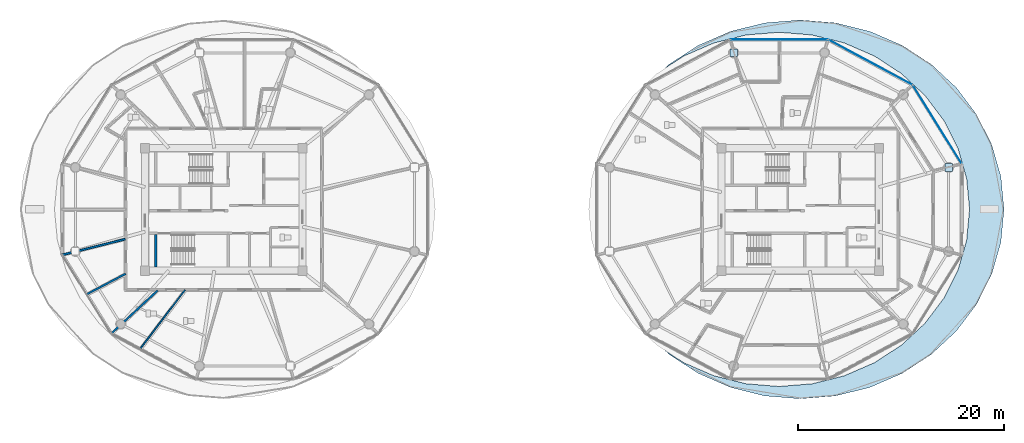
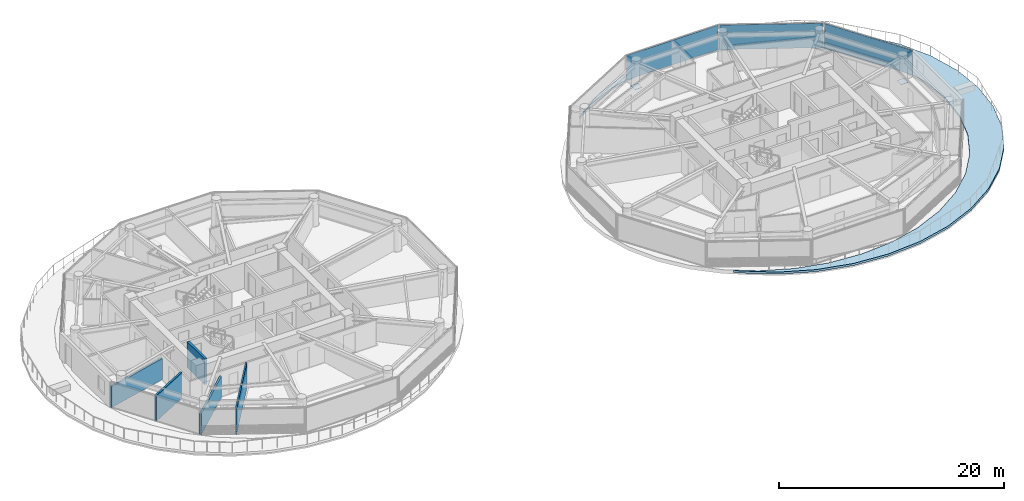
# One storey, part 14 of 32: 5 plates, 5 walls, 1 slab, 3 elements without a shape of their own.
"""IFC4 building model written with IfcOpenShell, lengths in metres."""

from ifc_helpers import new_model, si_unit, direction, frame, frame_2d, origin, origin_2d, place, context, subcontext, project, spatial, polyline, rectangle, outline, extrude, source, transform, mapped, material, layer, layer_set, type_object, type_shapes, element, aggregate, save


model = new_model("IFC4")

# Units and contexts
model_context = context("Model", 3, precision=1e-05, world=origin(), true_north=direction((0.0, 1.0)))
body_context = subcontext(model_context, "Body", "Model", "MODEL_VIEW")
ifc_project = project(units=[si_unit("LENGTHUNIT", "METRE"), si_unit("AREAUNIT", "SQUARE_METRE"), si_unit("VOLUMEUNIT", "CUBIC_METRE"), si_unit("PLANEANGLEUNIT", "RADIAN"), si_unit("MASSUNIT", "GRAM", prefix="KILO")], contexts=[model_context])

# Site, building, storey
site_placement = place(None, origin())
site = spatial("IfcSite", under=ifc_project, at=site_placement, CompositionType="ELEMENT")
building_placement = place(site_placement, origin())
building = spatial("IfcBuilding", under=site, at=building_placement, Name="Norrkilde Senior Care Towers", CompositionType="ELEMENT")
storey_placement = place(building_placement, frame((0.0, 0.0, 77.949951171875)))
storey = spatial("IfcBuildingStorey", under=building, at=storey_placement, Name="L23", CompositionType="ELEMENT", Elevation=77.949951171875)

# Slab
ifc_material_1 = material(Name="Concrete C45/55", Category="concrete")
ifc_layer_1 = layer(ifc_material_1, 0.22998046875)
ifc_layer_set_1 = layer_set([ifc_layer_1], Name="Concrete C45/55")
slab_type = type_object("IfcSlabType", Name="Cascading Garden Terrace Slab 230", PredefinedType="FLOOR", material=ifc_layer_set_1)
slab_placement = place(storey_placement, frame((0.0, 0.0, -0.22998046875)))
element("IfcSlab", 1, at=slab_placement, inside=storey, type_object=slab_type, Name="L23 Drum E Crescent Sky-Garden Terrace", PredefinedType="FLOOR", context=body_context, shape_type="SweptSolid", body=[
    extrude(outline(polyline([(15.272705078125, 14.09521484375), (18.10009765625, 15.934814453125), (21.22802734375, 17.290283203125), (24.561767578125, 18.120361328125), (28.0, 18.39990234375), (31.438232421875, 18.120361328125), (34.77197265625, 17.290283203125), (37.89990234375, 15.934814453125), (40.727294921875, 14.09521484375), (43.167724609375, 11.827392578125), (45.147216796875, 9.199951171875), (46.60595703125, 6.293212890625), (47.499267578125, 3.195068359375), (47.800048828125, 0.0), (47.499267578125, -3.195068359375), (46.60595703125, -6.293212890625), (45.147216796875, -9.199951171875), (43.167724609375, -11.827392578125), (40.727294921875, -14.09521484375), (37.89990234375, -15.934814453125), (34.77197265625, -17.290283203125), (31.438232421875, -18.120361328125), (28.0, -18.39990234375), (24.561767578125, -18.120361328125), (21.22802734375, -17.290283203125), (18.10009765625, -15.934814453125), (15.272705078125, -14.09521484375), (14.831787109375, -13.685302734375), (16.697265625, -14.89990234375), (16.69775390625, -14.900146484375), (16.697998046875, -14.900146484375), (19.62060546875, -16.167236328125), (19.62109375, -16.16748046875), (19.621337890625, -16.16748046875), (22.736328125, -16.943603515625), (22.73681640625, -16.943603515625), (22.737060546875, -16.943603515625), (25.94970703125, -17.205078125), (25.949951171875, -17.205078125), (25.950439453125, -17.205078125), (29.162841796875, -16.943603515625), (29.163330078125, -16.943603515625), (29.163818359375, -16.943603515625), (32.278564453125, -16.16748046875), (32.279052734375, -16.16748046875), (32.279296875, -16.167236328125), (35.201904296875, -14.900146484375), (35.202392578125, -14.900146484375), (35.20263671875, -14.89990234375), (37.84423828125, -13.18017578125), (37.8447265625, -13.179931640625), (37.844970703125, -13.1796875), (40.125244140625, -11.0595703125), (40.12548828125, -11.059326171875), (40.125732421875, -11.058837890625), (41.9755859375, -8.60302734375), (41.975830078125, -8.6025390625), (41.975830078125, -8.602294921875), (43.3388671875, -5.885009765625), (43.3388671875, -5.884521484375), (43.339111328125, -5.884033203125), (44.173828125, -2.988037109375), (44.173828125, -2.98779296875), (44.173828125, -2.9873046875), (44.455078125, -0.00048828125), (44.455078125, 0.0), (44.455078125, 0.00048828125), (44.173828125, 2.9873046875), (44.173828125, 2.98779296875), (44.173828125, 2.988037109375), (43.339111328125, 5.884033203125), (43.3388671875, 5.884521484375), (43.3388671875, 5.885009765625), (41.975830078125, 8.602294921875), (41.975830078125, 8.6025390625), (41.9755859375, 8.60302734375), (40.125732421875, 11.058837890625), (40.12548828125, 11.059326171875), (40.125244140625, 11.0595703125), (37.844970703125, 13.1796875), (37.8447265625, 13.179931640625), (37.84423828125, 13.18017578125), (35.20263671875, 14.89990234375), (35.202392578125, 14.900146484375), (35.201904296875, 14.900146484375), (32.279296875, 16.167236328125), (32.279052734375, 16.16748046875), (32.278564453125, 16.16748046875), (29.163818359375, 16.943603515625), (29.163330078125, 16.943603515625), (29.162841796875, 16.943603515625), (25.950439453125, 17.205078125), (25.949951171875, 17.205078125), (25.94970703125, 17.205078125), (22.737060546875, 16.943603515625), (22.73681640625, 16.943603515625), (22.736328125, 16.943603515625), (19.621337890625, 16.16748046875), (19.62109375, 16.16748046875), (19.62060546875, 16.167236328125), (16.697998046875, 14.900146484375), (16.69775390625, 14.900146484375), (16.697265625, 14.89990234375), (14.831787109375, 13.685302734375), (15.272705078125, 14.09521484375)])), origin(), (0.0, 0.0, 1.0), 0.22998046875),
])

# Plates
ifc_material_2 = material(Name="Steel S355", Category="steel")
ifc_layer_2 = layer(ifc_material_2, 0.030029296875)
ifc_layer_set_2 = layer_set([ifc_layer_2], Name="Steel S355")
plate_type_1 = type_object("IfcPlateType", Name="Column Splice Flange Plate 30", PredefinedType="USERDEFINED", material=ifc_layer_set_2)
shared_shape_1 = source(origin(), body_context, "Body", "SweptSolid", [
    extrude(rectangle(XDim=0.75, YDim=0.75, at=origin_2d()), origin(), (0.0, 0.0, 1.0), 0.030029296875),
])
type_shapes(plate_type_1, [shared_shape_1])
for number, where, z_axis, x_axis, name in (
    (2, (42.4189453125, 4.076416015625, 0.0), (0.0, 0.0, 1.0), (1.0, 0.0, 0.0), "L23 Column E-01 Splice Flange Plate"),
    (3, (21.537109375, 15.21337890625, 0.0), (0.0, 0.0, 1.0), (1.0, 0.0, 0.0), "L23 Column E-04 Splice Flange Plate"),
):
    element("IfcPlate", number, at=place(storey_placement, frame(where, z_axis=z_axis, x_axis=x_axis)), inside=storey, type_object=plate_type_1, Name=name, ObjectType="FLANGE_PLATE", PredefinedType="USERDEFINED", context=body_context, shape_type="MappedRepresentation", body=[
        mapped(shared_shape_1, transform((0.0, 0.0, 0.0), x_axis=(1.0, 0.0, 0.0), y_axis=(0.0, 1.0, 0.0), z_axis=(0.0, 0.0, 1.0), scale=1.0)),
    ])

# Curtain wall, plate
ifc_material_3 = material(Name="Triple Low-E Insulated Glazing", Category="glass")
ifc_layer_3 = layer(ifc_material_3, 0.195068359375)
ifc_layer_set_3 = layer_set([ifc_layer_3], Name="Triple Low-E Insulated Glazing")
curtain_wall_type = type_object("IfcCurtainWallType", Name="CW3 Zone 2 Assisted Living Curtain Wall", PredefinedType="NOTDEFINED", material=ifc_layer_set_3)
curtain_wall_1_placement = place(storey_placement, origin())
curtain_wall_1 = element("IfcCurtainWall", 4, at=curtain_wall_1_placement, inside=storey, type_object=curtain_wall_type, Name="L23 Drum E Curtain Wall 00", PredefinedType="NOTDEFINED")
ifc_layer_4 = layer(ifc_material_3, 0.035888671875)
ifc_layer_set_4 = layer_set([ifc_layer_4], Name="Triple Low-E Insulated Glazing")
plate_type_2 = type_object("IfcPlateType", Name="Triple Low-E Vision Curtain Panel 36", PredefinedType="CURTAIN_PANEL", material=ifc_layer_set_4)
shared_shape_2 = source(origin(), body_context, "Body", "SweptSolid", [
    extrude(rectangle(XDim=8.88427734375, YDim=0.035888671875, at=origin_2d()), origin(), (0.0, 0.0, 1.0), 2.669921875),
])
plate_1_placement = place(storey_placement, frame((41.3251953125, 8.2490234375, 0.06005859375), z_axis=(0.0, 0.0, 1.0), x_axis=(0.527733228002, -0.849410171862, 0.0)))
plate_1 = element("IfcPlate", 5, at=plate_1_placement, type_object=plate_type_2, Name="CW-3 panel 1.1", PredefinedType="CURTAIN_PANEL", context=body_context, shape_type="MappedRepresentation", body=[
    mapped(shared_shape_2, transform((0.0, 0.0, 0.0), x_axis=(1.0, 0.0, 0.0), y_axis=(0.0, 1.0, 0.0), z_axis=(0.0, 0.0, 1.0), scale=1.0)),
])
aggregate(curtain_wall_1, [plate_1])

curtain_wall_2_placement = place(storey_placement, origin())
curtain_wall_2 = element("IfcCurtainWall", 6, at=curtain_wall_2_placement, inside=storey, type_object=curtain_wall_type, Name="L23 Drum E Curtain Wall 01", PredefinedType="NOTDEFINED")
shared_shape_3 = source(origin(), body_context, "Body", "SweptSolid", [
    extrude(rectangle(XDim=9.220458984375, YDim=0.035888671875, at=origin_2d()), origin(), (0.0, 0.0, 1.0), 2.669921875),
])
plate_2_placement = place(storey_placement, frame((34.826904296875, 14.28759765625, 0.06005859375), z_axis=(0.0, 0.0, 1.0), x_axis=(0.881186184668, -0.472769402511, 0.0)))
plate_2 = element("IfcPlate", 7, at=plate_2_placement, type_object=plate_type_2, Name="CW-3 panel 1.1", PredefinedType="CURTAIN_PANEL", context=body_context, shape_type="MappedRepresentation", body=[
    mapped(shared_shape_3, transform((0.0, 0.0, 0.0), x_axis=(1.0, 0.0, 0.0), y_axis=(0.0, 1.0, 0.0), z_axis=(0.0, 0.0, 1.0), scale=1.0)),
])
aggregate(curtain_wall_2, [plate_2])

curtain_wall_3_placement = place(storey_placement, origin())
curtain_wall_3 = element("IfcCurtainWall", 8, at=curtain_wall_3_placement, inside=storey, type_object=curtain_wall_type, Name="L23 Drum E Curtain Wall 02", PredefinedType="NOTDEFINED")
shared_shape_4 = source(origin(), body_context, "Body", "SweptSolid", [
    extrude(rectangle(XDim=9.38427734375, YDim=0.035888671875, at=origin_2d()), origin(), (0.0, 0.0, 1.0), 2.669921875),
])
type_shapes(plate_type_2, [shared_shape_2, shared_shape_3, shared_shape_4])
plate_3_placement = place(storey_placement, frame((25.949951171875, 16.498046875, 0.06005859375), z_axis=(0.0, 0.0, 1.0), x_axis=(1.0, 0.0, 0.0)))
plate_3 = element("IfcPlate", 9, at=plate_3_placement, type_object=plate_type_2, Name="CW-3 panel 1.1", PredefinedType="CURTAIN_PANEL", context=body_context, shape_type="MappedRepresentation", body=[
    mapped(shared_shape_4, transform((0.0, 0.0, 0.0), x_axis=(1.0, 0.0, 0.0), y_axis=(0.0, 1.0, 0.0), z_axis=(0.0, 0.0, 1.0), scale=1.0)),
])
aggregate(curtain_wall_3, [plate_3])

# Walls
ifc_layer_5 = layer(ifc_material_1, 0.239990234375)
ifc_layer_set_5 = layer_set([ifc_layer_5], Name="Concrete C45/55")
wall_type_1 = type_object("IfcWallType", Name="Shaft and Stair Enclosure Wall 240", PredefinedType="PARTITIONING", material=ifc_layer_set_5)
shared_shape_5 = source(origin(), body_context, "Body", "SweptSolid", [
    extrude(rectangle(XDim=3.14013671875, YDim=0.239990234375, at=frame_2d((1.570068359375, 0.0))), origin(), (0.0, 0.0, 1.0), 2.7900390625),
])
type_shapes(wall_type_1, [shared_shape_5])
wall_1_placement = place(storey_placement, frame((-34.6201171875, -5.590087890625, 0.0), z_axis=(0.0, 0.0, 1.0), x_axis=(0.0, 1.0, 0.0)))
element("IfcWall", 10, at=wall_1_placement, inside=storey, type_object=wall_type_1, Name="WL-INT-L23-W-ST2W", PredefinedType="PARTITIONING", context=body_context, shape_type="MappedRepresentation", body=[
    mapped(shared_shape_5, transform((0.0, 0.0, 0.0), x_axis=(1.0, 0.0, 0.0), y_axis=(0.0, 1.0, 0.0), z_axis=(0.0, 0.0, 1.0), scale=1.0)),
])
ifc_material_4 = material(Name="Gypsum Acoustic Board")
ifc_layer_6 = layer(ifc_material_4, 0.18994140625)
ifc_layer_set_6 = layer_set([ifc_layer_6], Name="Gypsum Acoustic Board")
wall_type_2 = type_object("IfcWallType", Name="Unit Demising Acoustic Wall 190", PredefinedType="PARTITIONING", material=ifc_layer_set_6)
shared_shape_6 = source(origin(), body_context, "Body", "SweptSolid", [
    extrude(rectangle(XDim=6.186767578125, YDim=0.18994140625, at=frame_2d((3.09326171875, 0.0))), origin(), (0.0, 0.0, 1.0), 2.275146484375),
])
wall_2_placement = place(storey_placement, frame((-34.428955078125, -7.8798828125, 0.0), z_axis=(0.0, 0.0, 1.0), x_axis=(-0.732501077882, -0.680765870841, 0.0)))
element("IfcWall", 11, at=wall_2_placement, inside=storey, type_object=wall_type_2, Name="WL-INT-L23-W-DEM-07-0", PredefinedType="PARTITIONING", context=body_context, shape_type="MappedRepresentation", body=[
    mapped(shared_shape_6, transform((0.0, 0.0, 0.0), x_axis=(1.0, 0.0, 0.0), y_axis=(0.0, 1.0, 0.0), z_axis=(0.0, 0.0, 1.0), scale=1.0)),
])
ifc_layer_7 = layer(ifc_material_4, 0.139892578125)
ifc_layer_set_7 = layer_set([ifc_layer_7], Name="Gypsum Acoustic Board")
wall_type_3 = type_object("IfcWallType", Name="En-suite Wet Room Wall 140", PredefinedType="PARTITIONING", material=ifc_layer_set_7)
shared_shape_7 = source(origin(), body_context, "Body", "SweptSolid", [
    extrude(rectangle(XDim=7.24267578125, YDim=0.139892578125, at=frame_2d((3.621337890625, 0.0))), origin(), (0.0, 0.0, 1.0), 2.775146484375),
])
type_shapes(wall_type_3, [shared_shape_7])
wall_3_placement = place(storey_placement, frame((-31.773681640625, -7.830078125, 0.0), z_axis=(0.0, 0.0, 1.0), x_axis=(-0.605111472002, -0.796140757939, 0.0)))
element("IfcWall", 12, at=wall_3_placement, inside=storey, type_object=wall_type_3, Name="WL-INT-L23-W-MID-07", PredefinedType="PARTITIONING", context=body_context, shape_type="MappedRepresentation", body=[
    mapped(shared_shape_7, transform((0.0, 0.0, 0.0), x_axis=(1.0, 0.0, 0.0), y_axis=(0.0, 1.0, 0.0), z_axis=(0.0, 0.0, 1.0), scale=1.0)),
])
shared_shape_8 = source(origin(), body_context, "Body", "SweptSolid", [
    extrude(rectangle(XDim=6.33056640625, YDim=0.18994140625, at=frame_2d((3.165283203125, 0.0))), origin(), (0.0, 0.0, 1.0), 2.275146484375),
])
wall_4_placement = place(storey_placement, frame((-37.580078125, -2.89599609375, 0.0), z_axis=(0.0, 0.0, 1.0), x_axis=(-0.97036440661, -0.241646267062, 0.0)))
element("IfcWall", 13, at=wall_4_placement, inside=storey, type_object=wall_type_2, Name="WL-INT-L23-W-DEM-06-0", PredefinedType="PARTITIONING", context=body_context, shape_type="MappedRepresentation", body=[
    mapped(shared_shape_8, transform((0.0, 0.0, 0.0), x_axis=(1.0, 0.0, 0.0), y_axis=(0.0, 1.0, 0.0), z_axis=(0.0, 0.0, 1.0), scale=1.0)),
])
shared_shape_9 = source(origin(), body_context, "Body", "SweptSolid", [
    extrude(rectangle(XDim=4.309814453125, YDim=0.18994140625, at=frame_2d((2.15478515625, 0.0))), origin(), (0.0, 0.0, 1.0), 2.775146484375),
])
type_shapes(wall_type_2, [shared_shape_6, shared_shape_8, shared_shape_9])
wall_5_placement = place(storey_placement, frame((-37.530029296875, -6.24755859375, 0.0), z_axis=(0.0, 0.0, 1.0), x_axis=(-0.884459441503, -0.466617076773, 0.0)))
element("IfcWall", 14, at=wall_5_placement, inside=storey, type_object=wall_type_2, Name="WL-INT-L23-W-MID-06", PredefinedType="PARTITIONING", context=body_context, shape_type="MappedRepresentation", body=[
    mapped(shared_shape_9, transform((0.0, 0.0, 0.0), x_axis=(1.0, 0.0, 0.0), y_axis=(0.0, 1.0, 0.0), z_axis=(0.0, 0.0, 1.0), scale=1.0)),
])

save(model, "model.ifc")
